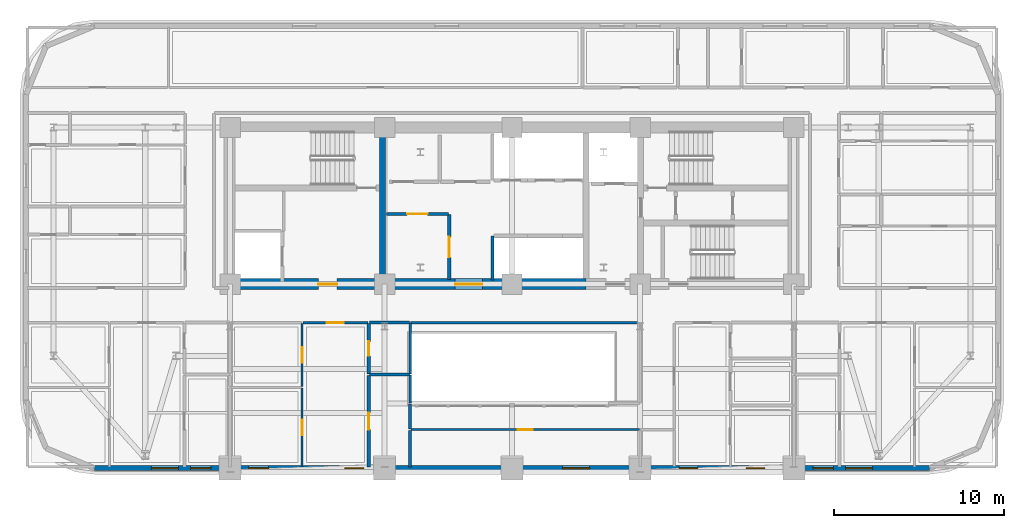
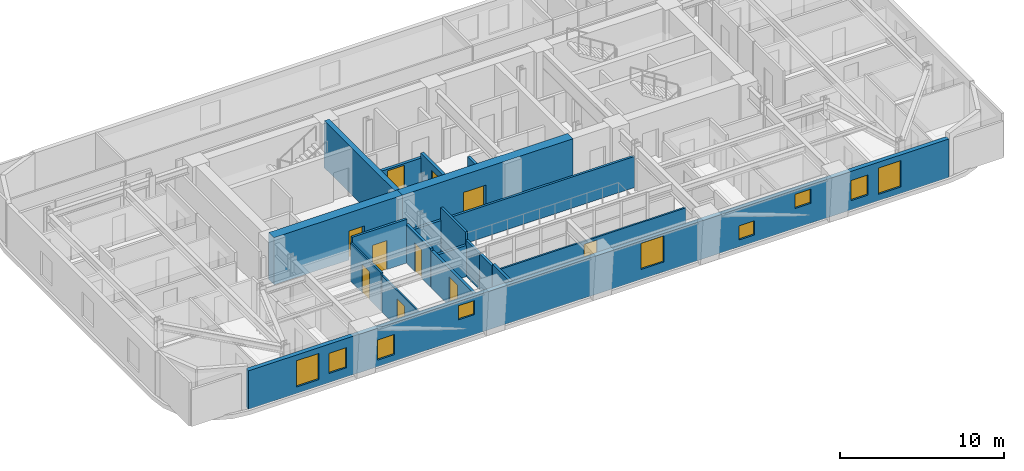
# One storey, part 9 of 16: 20 walls, 10 doors, 9 windows, 19 openings.
"""IFC4 building model written with IfcOpenShell, lengths in metres."""

from ifc_helpers import new_model, si_unit, direction, frame, frame_2d, origin, place, context, subcontext, project, spatial, rectangle, extrude, material, layer, layer_set, type_object, element, fill, save


model = new_model("IFC4")

# Units and contexts
model_context = context("Model", 3, precision=1e-05, world=origin(), true_north=direction((0.0, 1.0)))
body_context = subcontext(model_context, "Body", "Model", "MODEL_VIEW")
ifc_project = project(units=[si_unit("LENGTHUNIT", "METRE"), si_unit("AREAUNIT", "SQUARE_METRE"), si_unit("VOLUMEUNIT", "CUBIC_METRE"), si_unit("PLANEANGLEUNIT", "RADIAN"), si_unit("MASSUNIT", "GRAM", prefix="KILO")], contexts=[model_context])

# Site, building, storey
site_placement = place(None, origin())
site = spatial("IfcSite", under=ifc_project, at=site_placement, CompositionType="ELEMENT")
building_placement = place(site_placement, origin())
building = spatial("IfcBuilding", under=site, at=building_placement, Name="Zarnavel Station Tower", CompositionType="ELEMENT")
storey_placement = place(building_placement, frame((0.0, 0.0, 101.300048828125)))
storey = spatial("IfcBuildingStorey", under=building, at=storey_placement, Name="L27", CompositionType="ELEMENT", Elevation=101.300048828125)

# Wall
ifc_material_1 = material(Name="Concrete C50/60", Category="concrete")
ifc_layer_1 = layer(ifc_material_1, 0.35009765625)
ifc_layer_set_1 = layer_set([ifc_layer_1], Name="CW_350")
wall_type_1 = type_object("IfcWallType", Name="CW_350", PredefinedType="SHEAR", material=ifc_layer_set_1)
wall_1_placement = place(storey_placement, frame((21.179931640625, 28.14501953125, 0.0), z_axis=(0.0, 0.0, 1.0), x_axis=(0.0, 1.0, 0.0)))
element("IfcWall", 1, at=wall_1_placement, inside=storey, type_object=wall_type_1, Name="L27 Rear Core Shear Wall DIV-W", PredefinedType="SHEAR", context=body_context, shape_type="SweptSolid", body=[
    extrude(rectangle(XDim=8.580078125, YDim=0.35009765625, at=frame_2d((4.2900390625, 0.0))), origin(), (0.0, 0.0, 1.0), 3.5),
])

# Wall, opening, door
ifc_material_2 = material(Name="Concrete C60/75", Category="concrete")
ifc_layer_2 = layer(ifc_material_2, 0.64990234375)
ifc_layer_set_2 = layer_set([ifc_layer_2], Name="CW_650")
wall_type_2 = type_object("IfcWallType", Name="CW_650", PredefinedType="SHEAR", material=ifc_layer_set_2)
wall_2_placement = place(storey_placement, frame((21.179931640625, 27.820068359375, 0.0), z_axis=(0.0, 0.0, 1.0), x_axis=(-1.0, 0.0, 0.0)))
wall_2 = element("IfcWall", 2, at=wall_2_placement, inside=storey, type_object=wall_type_2, Name="L27 Rear Core Shear Wall S-W", PredefinedType="SHEAR", context=body_context, shape_type="SweptSolid", body=[
    extrude(rectangle(XDim=9.030029296875, YDim=0.64990234375, at=frame_2d((4.51513671875, 0.0))), origin(), (0.0, 0.0, 1.0), 3.5),
])
opening_1_placement = place(wall_2_placement, frame((2.679931640625, 0.0, 0.0)))
opening_1 = element("IfcOpeningElement", 3, at=opening_1_placement, cuts=wall_2, Name="Opening FD01", PredefinedType="OPENING", context=body_context, shape_type="SweptSolid", body=[
    extrude(rectangle(XDim=1.10009765625, YDim=2.14990234375, at=frame_2d((0.550048828125, 1.074951171875))), frame((0.0, 0.3349609375, 0.0), z_axis=(0.0, -1.0, 0.0), x_axis=(1.0, 0.0, 0.0)), (0.0, 0.0, 1.0), 0.669921875),
])
ifc_material_3 = material(Name="Painted Galvanised Steel and Hardwood Leaf", Category="steel")
door_type_1 = type_object("IfcDoorType", Name="ID_STAIR_1100", OperationType="NOTDEFINED", PredefinedType="DOOR", material=ifc_material_3)
door_1_placement = place(opening_1_placement, origin())
door_1 = element("IfcDoor", 4, at=door_1_placement, inside=storey, type_object=door_type_1, Name="L27 West Firefighting Lobby Door", OperationType="SINGLE_SWING_RIGHT", OverallHeight=2.14990234375, OverallWidth=1.10009765625, PredefinedType="DOOR", context=body_context, shape_type="SweptSolid", body=[
    extrude(rectangle(XDim=1.10009765625, YDim=2.14990234375, at=frame_2d((0.550048828125, 1.074951171875))), frame((0.0, 0.02490234375, 0.0), z_axis=(0.0, -1.0, 0.0), x_axis=(1.0, 0.0, 0.0)), (0.0, 0.0, 1.0), 0.050048828125),
])
fill(opening_1, door_1)

wall_3_placement = place(storey_placement, frame((33.14990234375, 27.820068359375, 0.0), z_axis=(0.0, 0.0, 1.0), x_axis=(-1.0, 0.0, 0.0)))
wall_3 = element("IfcWall", 5, at=wall_3_placement, inside=storey, type_object=wall_type_2, Name="L27 Rear Core Shear Wall S-M", PredefinedType="SHEAR", context=body_context, shape_type="SweptSolid", body=[
    extrude(rectangle(XDim=11.969970703125, YDim=0.64990234375, at=frame_2d((5.98486328125, 0.0))), origin(), (0.0, 0.0, 1.0), 3.5),
])
opening_2_placement = place(wall_3_placement, frame((6.10009765625, 0.0, 0.0)))
opening_2 = element("IfcOpeningElement", 6, at=opening_2_placement, cuts=wall_3, Name="Opening ID03", PredefinedType="OPENING", context=body_context, shape_type="SweptSolid", body=[
    extrude(rectangle(XDim=1.60009765625, YDim=2.199951171875, at=frame_2d((0.800048828125, 1.10009765625))), frame((0.0, 0.3349609375, 0.0), z_axis=(0.0, -1.0, 0.0), x_axis=(1.0, 0.0, 0.0)), (0.0, 0.0, 1.0), 0.669921875),
])
ifc_material_4 = material(Name="Painted Galvanised Steel and Hardwood Leaf", Category="steel")
door_type_2 = type_object("IfcDoorType", Name="ID_PUBLIC_1600", OperationType="DOUBLE_DOOR_SINGLE_SWING", PredefinedType="DOOR", material=ifc_material_4)
door_2_placement = place(opening_2_placement, origin())
door_2 = element("IfcDoor", 7, at=door_2_placement, inside=storey, type_object=door_type_2, Name="L27 Passenger Lift Lobby Double Door", OperationType="SINGLE_SWING_LEFT", OverallHeight=2.199951171875, OverallWidth=1.60009765625, PredefinedType="DOOR", context=body_context, shape_type="SweptSolid", body=[
    extrude(rectangle(XDim=1.60009765625, YDim=2.199951171875, at=frame_2d((0.800048828125, 1.10009765625))), frame((0.0, 0.02490234375, 0.0), z_axis=(0.0, -1.0, 0.0), x_axis=(1.0, 0.0, 0.0)), (0.0, 0.0, 1.0), 0.050048828125),
])
fill(opening_2, door_2)

# Wall, openings, windows
ifc_material_5 = material(Name="Precast concrete C45/55 (Dark Basalt Finish)", Category="masonry")
ifc_layer_3 = layer(ifc_material_5, 0.300048828125)
ifc_layer_set_3 = layer_set([ifc_layer_3], Name="EW_BASALT_300")
wall_type_3 = type_object("IfcWallType", Name="EW_BASALT_300", PredefinedType="SOLIDWALL", material=ifc_layer_set_3)
wall_4_placement = place(storey_placement, frame((53.39990234375, 16.97998046875, 0.0), z_axis=(0.0, 0.0, 1.0), x_axis=(-1.0, 0.0, 0.0)))
wall_4 = element("IfcWall", 8, at=wall_4_placement, inside=storey, type_object=wall_type_3, Name="L27 Exterior Basalt Masonry Frame Wall 12", PredefinedType="SOLIDWALL", context=body_context, shape_type="SweptSolid", body=[
    extrude(rectangle(XDim=49.199951171875, YDim=0.300048828125, at=frame_2d((24.60009765625, 0.0))), origin(), (0.0, 0.0, 1.0), 2.85986328125),
])
opening_3_placement = place(wall_4_placement, frame((44.245849609375, 0.0, 0.47998046875)))
opening_3 = element("IfcOpeningElement", 9, at=opening_3_placement, cuts=wall_4, Name="Opening WN06", PredefinedType="OPENING", context=body_context, shape_type="SweptSolid", body=[
    extrude(rectangle(XDim=1.60009765625, YDim=1.949951171875, at=frame_2d((0.800048828125, 0.97509765625))), frame((0.0, 0.159912109375, 0.0), z_axis=(0.0, -1.0, 0.0), x_axis=(1.0, 0.0, 0.0)), (0.0, 0.0, 1.0), 0.320068359375),
])
opening_4_placement = place(wall_4_placement, frame((42.33251953125, 0.0, 0.679931640625)))
opening_4 = element("IfcOpeningElement", 10, at=opening_4_placement, cuts=wall_4, Name="Opening WN08", PredefinedType="OPENING", context=body_context, shape_type="SweptSolid", body=[
    extrude(rectangle(XDim=1.199951171875, YDim=1.5, at=frame_2d((0.60009765625, 0.75))), frame((0.0, 0.159912109375, 0.0), z_axis=(0.0, -1.0, 0.0), x_axis=(1.0, 0.0, 0.0)), (0.0, 0.0, 1.0), 0.320068359375),
])
opening_5_placement = place(wall_4_placement, frame((33.337890625, 0.0, 1.47998046875)))
opening_5 = element("IfcOpeningElement", 11, at=opening_5_placement, cuts=wall_4, Name="Opening WN09", PredefinedType="OPENING", context=body_context, shape_type="SweptSolid", body=[
    extrude(rectangle(XDim=1.10009765625, YDim=1.050048828125, at=frame_2d((0.550048828125, 0.52490234375))), frame((0.0, 0.159912109375, 0.0), z_axis=(0.0, -1.0, 0.0), x_axis=(1.0, 0.0, 0.0)), (0.0, 0.0, 1.0), 0.320068359375),
])
opening_6_placement = place(wall_4_placement, frame((38.93505859375, 0.0, 0.47998046875)))
opening_6 = element("IfcOpeningElement", 12, at=opening_6_placement, cuts=wall_4, Name="Opening WN08", PredefinedType="OPENING", context=body_context, shape_type="SweptSolid", body=[
    extrude(rectangle(XDim=1.199951171875, YDim=1.5, at=frame_2d((0.60009765625, 0.75))), frame((0.0, 0.159912109375, 0.0), z_axis=(0.0, -1.0, 0.0), x_axis=(1.0, 0.0, 0.0)), (0.0, 0.0, 1.0), 0.320068359375),
])
opening_7_placement = place(wall_4_placement, frame((20.02490234375, 0.0, 0.72998046875)))
opening_7 = element("IfcOpeningElement", 13, at=opening_7_placement, cuts=wall_4, Name="Opening WN06", PredefinedType="OPENING", context=body_context, shape_type="SweptSolid", body=[
    extrude(rectangle(XDim=1.60009765625, YDim=1.949951171875, at=frame_2d((0.800048828125, 0.97509765625))), frame((0.0, 0.159912109375, 0.0), z_axis=(0.0, -1.0, 0.0), x_axis=(1.0, 0.0, 0.0)), (0.0, 0.0, 1.0), 0.320068359375),
])
opening_8_placement = place(wall_4_placement, frame((13.64990234375, 0.0, 0.52001953125)))
opening_8 = element("IfcOpeningElement", 14, at=opening_8_placement, cuts=wall_4, Name="Opening WN09", PredefinedType="OPENING", context=body_context, shape_type="SweptSolid", body=[
    extrude(rectangle(XDim=1.10009765625, YDim=1.050048828125, at=frame_2d((0.550048828125, 0.52490234375))), frame((0.0, 0.159912109375, 0.0), z_axis=(0.0, -1.0, 0.0), x_axis=(1.0, 0.0, 0.0)), (0.0, 0.0, 1.0), 0.320068359375),
])
opening_9_placement = place(wall_4_placement, frame((9.700927734375, 0.0, 1.47998046875)))
opening_9 = element("IfcOpeningElement", 15, at=opening_9_placement, cuts=wall_4, Name="Opening WN09", PredefinedType="OPENING", context=body_context, shape_type="SweptSolid", body=[
    extrude(rectangle(XDim=1.10009765625, YDim=1.050048828125, at=frame_2d((0.550048828125, 0.52490234375))), frame((0.0, 0.159912109375, 0.0), z_axis=(0.0, -1.0, 0.0), x_axis=(1.0, 0.0, 0.0)), (0.0, 0.0, 1.0), 0.320068359375),
])
opening_10_placement = place(wall_4_placement, frame((3.35400390625, 0.0, 0.47998046875)))
opening_10 = element("IfcOpeningElement", 16, at=opening_10_placement, cuts=wall_4, Name="Opening WN06", PredefinedType="OPENING", context=body_context, shape_type="SweptSolid", body=[
    extrude(rectangle(XDim=1.60009765625, YDim=1.949951171875, at=frame_2d((0.800048828125, 0.97509765625))), frame((0.0, 0.159912109375, 0.0), z_axis=(0.0, -1.0, 0.0), x_axis=(1.0, 0.0, 0.0)), (0.0, 0.0, 1.0), 0.320068359375),
])
opening_11_placement = place(wall_4_placement, frame((5.66748046875, 0.0, 0.679931640625)))
opening_11 = element("IfcOpeningElement", 17, at=opening_11_placement, cuts=wall_4, Name="Opening WN08", PredefinedType="OPENING", context=body_context, shape_type="SweptSolid", body=[
    extrude(rectangle(XDim=1.199951171875, YDim=1.5, at=frame_2d((0.60009765625, 0.75))), frame((0.0, 0.159912109375, 0.0), z_axis=(0.0, -1.0, 0.0), x_axis=(1.0, 0.0, 0.0)), (0.0, 0.0, 1.0), 0.320068359375),
])
ifc_material_6 = material(Name="Thermally Broken Black Aluminium and Low-E Dark Glass", Category="aluminium")
window_type_1 = type_object("IfcWindowType", Name="WN_1100x1050", PartitioningType="SINGLE_PANEL", PredefinedType="WINDOW", material=ifc_material_6)
window_1_placement = place(opening_5_placement, origin())
window_1 = element("IfcWindow", 18, at=window_1_placement, inside=storey, type_object=window_type_1, Name="L27 Recessed Facade Window 03", OverallHeight=1.050048828125, OverallWidth=1.10009765625, PartitioningType="SINGLE_PANEL", PredefinedType="WINDOW", context=body_context, shape_type="SweptSolid", body=[
    extrude(rectangle(XDim=1.10009765625, YDim=1.050048828125, at=frame_2d((0.550048828125, 0.52490234375))), frame((0.0, 0.030029296875, 0.0), z_axis=(0.0, -1.0, 0.0), x_axis=(1.0, 0.0, 0.0)), (0.0, 0.0, 1.0), 0.06005859375),
])
fill(opening_5, window_1)
window_2_placement = place(opening_8_placement, origin())
window_2 = element("IfcWindow", 19, at=window_2_placement, inside=storey, type_object=window_type_1, Name="L27 Recessed Facade Window 06", OverallHeight=1.050048828125, OverallWidth=1.10009765625, PartitioningType="SINGLE_PANEL", PredefinedType="WINDOW", context=body_context, shape_type="SweptSolid", body=[
    extrude(rectangle(XDim=1.10009765625, YDim=1.050048828125, at=frame_2d((0.550048828125, 0.52490234375))), frame((0.0, 0.030029296875, 0.0), z_axis=(0.0, -1.0, 0.0), x_axis=(1.0, 0.0, 0.0)), (0.0, 0.0, 1.0), 0.06005859375),
])
fill(opening_8, window_2)
window_3_placement = place(opening_9_placement, origin())
window_3 = element("IfcWindow", 20, at=window_3_placement, inside=storey, type_object=window_type_1, Name="L27 Recessed Facade Window 07", OverallHeight=1.050048828125, OverallWidth=1.10009765625, PartitioningType="SINGLE_PANEL", PredefinedType="WINDOW", context=body_context, shape_type="SweptSolid", body=[
    extrude(rectangle(XDim=1.10009765625, YDim=1.050048828125, at=frame_2d((0.550048828125, 0.52490234375))), frame((0.0, 0.030029296875, 0.0), z_axis=(0.0, -1.0, 0.0), x_axis=(1.0, 0.0, 0.0)), (0.0, 0.0, 1.0), 0.06005859375),
])
fill(opening_9, window_3)
ifc_material_7 = material(Name="Thermally Broken Black Aluminium and Low-E Dark Glass", Category="aluminium")
window_type_2 = type_object("IfcWindowType", Name="WN_1200x1500", PartitioningType="SINGLE_PANEL", PredefinedType="WINDOW", material=ifc_material_7)
window_4_placement = place(opening_4_placement, origin())
window_4 = element("IfcWindow", 21, at=window_4_placement, inside=storey, type_object=window_type_2, Name="L27 Recessed Facade Window 02", OverallHeight=1.5, OverallWidth=1.199951171875, PartitioningType="SINGLE_PANEL", PredefinedType="WINDOW", context=body_context, shape_type="SweptSolid", body=[
    extrude(rectangle(XDim=1.199951171875, YDim=1.5, at=frame_2d((0.60009765625, 0.75))), frame((0.0, 0.030029296875, 0.0), z_axis=(0.0, -1.0, 0.0), x_axis=(1.0, 0.0, 0.0)), (0.0, 0.0, 1.0), 0.06005859375),
])
fill(opening_4, window_4)
window_5_placement = place(opening_6_placement, origin())
window_5 = element("IfcWindow", 22, at=window_5_placement, inside=storey, type_object=window_type_2, Name="L27 Recessed Facade Window 04", OverallHeight=1.5, OverallWidth=1.199951171875, PartitioningType="SINGLE_PANEL", PredefinedType="WINDOW", context=body_context, shape_type="SweptSolid", body=[
    extrude(rectangle(XDim=1.199951171875, YDim=1.5, at=frame_2d((0.60009765625, 0.75))), frame((0.0, 0.030029296875, 0.0), z_axis=(0.0, -1.0, 0.0), x_axis=(1.0, 0.0, 0.0)), (0.0, 0.0, 1.0), 0.06005859375),
])
fill(opening_6, window_5)
window_6_placement = place(opening_11_placement, origin())
window_6 = element("IfcWindow", 23, at=window_6_placement, inside=storey, type_object=window_type_2, Name="L27 Recessed Facade Window 09", OverallHeight=1.5, OverallWidth=1.199951171875, PartitioningType="SINGLE_PANEL", PredefinedType="WINDOW", context=body_context, shape_type="SweptSolid", body=[
    extrude(rectangle(XDim=1.199951171875, YDim=1.5, at=frame_2d((0.60009765625, 0.75))), frame((0.0, 0.030029296875, 0.0), z_axis=(0.0, -1.0, 0.0), x_axis=(1.0, 0.0, 0.0)), (0.0, 0.0, 1.0), 0.06005859375),
])
fill(opening_11, window_6)
ifc_material_8 = material(Name="Thermally Broken Black Aluminium and Low-E Dark Glass", Category="aluminium")
window_type_3 = type_object("IfcWindowType", Name="WN_1600x1950", PartitioningType="DOUBLE_PANEL_VERTICAL", PredefinedType="WINDOW", material=ifc_material_8)
window_7_placement = place(opening_3_placement, origin())
window_7 = element("IfcWindow", 24, at=window_7_placement, inside=storey, type_object=window_type_3, Name="L27 Recessed Facade Window 01", OverallHeight=1.949951171875, OverallWidth=1.60009765625, PartitioningType="SINGLE_PANEL", PredefinedType="WINDOW", context=body_context, shape_type="SweptSolid", body=[
    extrude(rectangle(XDim=1.60009765625, YDim=1.949951171875, at=frame_2d((0.800048828125, 0.97509765625))), frame((0.0, 0.030029296875, 0.0), z_axis=(0.0, -1.0, 0.0), x_axis=(1.0, 0.0, 0.0)), (0.0, 0.0, 1.0), 0.06005859375),
])
fill(opening_3, window_7)
window_8_placement = place(opening_7_placement, origin())
window_8 = element("IfcWindow", 25, at=window_8_placement, inside=storey, type_object=window_type_3, Name="L27 Recessed Facade Window 05", OverallHeight=1.949951171875, OverallWidth=1.60009765625, PartitioningType="SINGLE_PANEL", PredefinedType="WINDOW", context=body_context, shape_type="SweptSolid", body=[
    extrude(rectangle(XDim=1.60009765625, YDim=1.949951171875, at=frame_2d((0.800048828125, 0.97509765625))), frame((0.0, 0.030029296875, 0.0), z_axis=(0.0, -1.0, 0.0), x_axis=(1.0, 0.0, 0.0)), (0.0, 0.0, 1.0), 0.06005859375),
])
fill(opening_7, window_8)
window_9_placement = place(opening_10_placement, origin())
window_9 = element("IfcWindow", 26, at=window_9_placement, inside=storey, type_object=window_type_3, Name="L27 Recessed Facade Window 08", OverallHeight=1.949951171875, OverallWidth=1.60009765625, PartitioningType="SINGLE_PANEL", PredefinedType="WINDOW", context=body_context, shape_type="SweptSolid", body=[
    extrude(rectangle(XDim=1.60009765625, YDim=1.949951171875, at=frame_2d((0.800048828125, 0.97509765625))), frame((0.0, 0.030029296875, 0.0), z_axis=(0.0, -1.0, 0.0), x_axis=(1.0, 0.0, 0.0)), (0.0, 0.0, 1.0), 0.06005859375),
])
fill(opening_10, window_9)

# Wall, opening, door
ifc_material_9 = material(Name="Gypsum Twin-Stud Acoustic Fire Partition", Category="concrete")
ifc_layer_4 = layer(ifc_material_9, 0.159912109375)
ifc_layer_set_4 = layer_set([ifc_layer_4], Name="PT_DEMISE_160")
wall_type_4 = type_object("IfcWallType", Name="PT_DEMISE_160", PredefinedType="PARTITIONING", material=ifc_layer_set_4)
wall_5_placement = place(storey_placement, frame((16.47998046875, 25.550048828125, 0.0), z_axis=(0.0, 0.0, 1.0), x_axis=(1.0, 0.0, 0.0)))
wall_5 = element("IfcWall", 27, at=wall_5_placement, inside=storey, type_object=wall_type_4, Name="L27 Partition COR-S-UW1BLV", PredefinedType="PARTITIONING", context=body_context, shape_type="SweptSolid", body=[
    extrude(rectangle(XDim=3.842041015625, YDim=0.159912109375, at=frame_2d((1.9208984375, 0.0))), origin(), (0.0, 0.0, 1.0), 3.239990234375),
])
opening_12_placement = place(wall_5_placement, frame((1.4208984375, 0.0, 0.0)))
opening_12 = element("IfcOpeningElement", 28, at=opening_12_placement, cuts=wall_5, Name="Opening FD02", PredefinedType="OPENING", context=body_context, shape_type="SweptSolid", body=[
    extrude(rectangle(XDim=1.0, YDim=2.14990234375, at=frame_2d((0.5, 1.074951171875))), frame((0.0, 0.08984375, 0.0), z_axis=(0.0, -1.0, 0.0), x_axis=(1.0, 0.0, 0.0)), (0.0, 0.0, 1.0), 0.179931640625),
])
ifc_material_10 = material(Name="Painted Galvanised Steel and Hardwood Leaf", Category="steel")
door_type_3 = type_object("IfcDoorType", Name="ID_ENTRY_1000", OperationType="NOTDEFINED", PredefinedType="DOOR", material=ifc_material_10)
door_3_placement = place(opening_12_placement, origin())
door_3 = element("IfcDoor", 29, at=door_3_placement, inside=storey, type_object=door_type_3, Name="L27 Door COR-S-UW1BLV", OperationType="SINGLE_SWING_RIGHT", OverallHeight=2.14990234375, OverallWidth=1.0, PredefinedType="DOOR", context=body_context, shape_type="SweptSolid", body=[
    extrude(rectangle(XDim=1.0, YDim=2.14990234375, at=frame_2d((0.5, 1.074951171875))), frame((0.0, 0.02490234375, 0.0), z_axis=(0.0, -1.0, 0.0), x_axis=(1.0, 0.0, 0.0)), (0.0, 0.0, 1.0), 0.050048828125),
])
fill(opening_12, door_3)

# Walls
wall_6_placement = place(storey_placement, frame((22.830078125, 25.550048828125, 0.0), z_axis=(0.0, 0.0, 1.0), x_axis=(1.0, 0.0, 0.0)))
element("IfcWall", 30, at=wall_6_placement, inside=storey, type_object=wall_type_4, Name="L27 Enclosure Wall COR-S", PredefinedType="PARTITIONING", context=body_context, shape_type="SweptSolid", body=[
    extrude(rectangle(XDim=13.489990234375, YDim=0.159912109375, at=frame_2d((6.7451171875, 0.0))), origin(), (0.0, 0.0, 1.0), 2.31005859375),
])
wall_7_placement = place(storey_placement, frame((22.800048828125, 20.830078125, 0.0), z_axis=(0.0, 0.0, 1.0), x_axis=(0.0, 1.0, 0.0)))
element("IfcWall", 31, at=wall_7_placement, inside=storey, type_object=wall_type_4, Name="L27 Enclosure Wall UW1BKT", PredefinedType="PARTITIONING", context=body_context, shape_type="SweptSolid", body=[
    extrude(rectangle(XDim=1.634033203125, YDim=0.159912109375, at=frame_2d((0.81689453125, 0.0))), origin(), (0.0, 0.0, 1.0), 2.679931640625),
])
wall_8_placement = place(storey_placement, frame((22.800048828125, 22.52392578125, 0.0), z_axis=(0.0, 0.0, 1.0), x_axis=(0.0, 1.0, 0.0)))
element("IfcWall", 32, at=wall_8_placement, inside=storey, type_object=wall_type_4, Name="L27 Enclosure Wall UW1BBA", PredefinedType="PARTITIONING", context=body_context, shape_type="SweptSolid", body=[
    extrude(rectangle(XDim=2.99609375, YDim=0.159912109375, at=frame_2d((1.498046875, 0.0))), origin(), (0.0, 0.0, 1.0), 3.239990234375),
])

# Wall, opening, door
ifc_material_11 = material(Name="Gypsum Metal-Stud Interior Partition", Category="concrete")
ifc_layer_5 = layer(ifc_material_11, 0.1201171875)
ifc_layer_set_5 = layer_set([ifc_layer_5], Name="PT_ROOM_120")
wall_type_5 = type_object("IfcWallType", Name="PT_ROOM_120", PredefinedType="PARTITIONING", material=ifc_layer_set_5)
wall_9_placement = place(storey_placement, frame((22.840087890625, 19.25, 0.0), z_axis=(0.0, 0.0, 1.0), x_axis=(1.0, 0.0, 0.0)))
wall_9 = element("IfcWall", 33, at=wall_9_placement, inside=storey, type_object=wall_type_5, Name="L27 Partition COR-AS-L27FOY", PredefinedType="PARTITIONING", context=body_context, shape_type="SweptSolid", body=[
    extrude(rectangle(XDim=13.469970703125, YDim=0.1201171875, at=frame_2d((6.73486328125, 0.0))), origin(), (0.0, 0.0, 1.0), 2.31005859375),
])
opening_13_placement = place(wall_9_placement, frame((6.284912109375, 0.0, 0.0)))
opening_13 = element("IfcOpeningElement", 34, at=opening_13_placement, cuts=wall_9, Name="Opening ID01", PredefinedType="OPENING", context=body_context, shape_type="SweptSolid", body=[
    extrude(rectangle(XDim=0.89990234375, YDim=2.10009765625, at=frame_2d((0.449951171875, 1.050048828125))), frame((0.0, 0.070068359375, 0.0), z_axis=(0.0, -1.0, 0.0), x_axis=(1.0, 0.0, 0.0)), (0.0, 0.0, 1.0), 0.14013671875),
])
ifc_material_12 = material(Name="Painted Galvanised Steel and Hardwood Leaf", Category="steel")
door_type_4 = type_object("IfcDoorType", Name="ID_ROOM_900", OperationType="NOTDEFINED", PredefinedType="DOOR", material=ifc_material_12)
door_4_placement = place(opening_13_placement, origin())
door_4 = element("IfcDoor", 35, at=door_4_placement, inside=storey, type_object=door_type_4, Name="L27 Door COR-AS-L27FOY", OperationType="SINGLE_SWING_LEFT", OverallHeight=2.10009765625, OverallWidth=0.89990234375, PredefinedType="DOOR", context=body_context, shape_type="SweptSolid", body=[
    extrude(rectangle(XDim=0.89990234375, YDim=2.10009765625, at=frame_2d((0.449951171875, 1.050048828125))), frame((0.0, 0.02490234375, 0.0), z_axis=(0.0, -1.0, 0.0), x_axis=(1.0, 0.0, 0.0)), (0.0, 0.0, 1.0), 0.050048828125),
])
fill(opening_13, door_4)

wall_10_placement = place(storey_placement, frame((16.43994140625, 17.06005859375, 0.0), z_axis=(0.0, 0.0, 1.0), x_axis=(0.0, 1.0, 0.0)))
wall_10 = element("IfcWall", 36, at=wall_10_placement, inside=storey, type_object=wall_type_5, Name="L27 Partition UW1BLV-UW1BB1", PredefinedType="PARTITIONING", context=body_context, shape_type="SweptSolid", body=[
    extrude(rectangle(XDim=4.640869140625, YDim=0.1201171875, at=frame_2d((2.3203125, 0.0))), origin(), (0.0, 0.0, 1.0), 2.72998046875),
])
opening_14_placement = place(wall_10_placement, frame((1.87060546875, 0.0, 0.0)))
opening_14 = element("IfcOpeningElement", 37, at=opening_14_placement, cuts=wall_10, Name="Opening ID01", PredefinedType="OPENING", context=body_context, shape_type="SweptSolid", body=[
    extrude(rectangle(XDim=0.89990234375, YDim=2.10009765625, at=frame_2d((0.449951171875, 1.050048828125))), frame((0.0, 0.070068359375, 0.0), z_axis=(0.0, -1.0, 0.0), x_axis=(1.0, 0.0, 0.0)), (0.0, 0.0, 1.0), 0.14013671875),
])
door_5_placement = place(opening_14_placement, origin())
door_5 = element("IfcDoor", 38, at=door_5_placement, inside=storey, type_object=door_type_4, Name="L27 Door UW1BLV-UW1BB1", OperationType="SINGLE_SWING_LEFT", OverallHeight=2.10009765625, OverallWidth=0.89990234375, PredefinedType="DOOR", context=body_context, shape_type="SweptSolid", body=[
    extrude(rectangle(XDim=0.89990234375, YDim=2.10009765625, at=frame_2d((0.449951171875, 1.050048828125))), frame((0.0, 0.02490234375, 0.0), z_axis=(0.0, -1.0, 0.0), x_axis=(1.0, 0.0, 0.0)), (0.0, 0.0, 1.0), 0.050048828125),
])
fill(opening_14, door_5)

wall_11_placement = place(storey_placement, frame((16.43994140625, 21.781005859375, 0.0), z_axis=(0.0, 0.0, 1.0), x_axis=(0.0, 1.0, 0.0)))
wall_11 = element("IfcWall", 39, at=wall_11_placement, inside=storey, type_object=wall_type_5, Name="L27 Partition UW1BLV-UW1BB2", PredefinedType="PARTITIONING", context=body_context, shape_type="SweptSolid", body=[
    extrude(rectangle(XDim=3.72900390625, YDim=0.1201171875, at=frame_2d((1.864501953125, 0.0))), origin(), (0.0, 0.0, 1.0), 2.869873046875),
])
opening_15_placement = place(wall_11_placement, frame((1.41455078125, 0.0, 0.0)))
opening_15 = element("IfcOpeningElement", 40, at=opening_15_placement, cuts=wall_11, Name="Opening ID01", PredefinedType="OPENING", context=body_context, shape_type="SweptSolid", body=[
    extrude(rectangle(XDim=0.89990234375, YDim=2.10009765625, at=frame_2d((0.449951171875, 1.050048828125))), frame((0.0, 0.070068359375, 0.0), z_axis=(0.0, -1.0, 0.0), x_axis=(1.0, 0.0, 0.0)), (0.0, 0.0, 1.0), 0.14013671875),
])
door_6_placement = place(opening_15_placement, origin())
door_6 = element("IfcDoor", 41, at=door_6_placement, inside=storey, type_object=door_type_4, Name="L27 Door UW1BLV-UW1BB2", OperationType="SINGLE_SWING_RIGHT", OverallHeight=2.10009765625, OverallWidth=0.89990234375, PredefinedType="DOOR", context=body_context, shape_type="SweptSolid", body=[
    extrude(rectangle(XDim=0.89990234375, YDim=2.10009765625, at=frame_2d((0.449951171875, 1.050048828125))), frame((0.0, 0.02490234375, 0.0), z_axis=(0.0, -1.0, 0.0), x_axis=(1.0, 0.0, 0.0)), (0.0, 0.0, 1.0), 0.050048828125),
])
fill(opening_15, door_6)

# Wall
ifc_material_13 = material(Name="Precast concrete C45/55 (Fire Shaft Blockwork)", Category="masonry")
ifc_layer_6 = layer(ifc_material_13, 0.199951171875)
ifc_layer_set_6 = layer_set([ifc_layer_6], Name="PT_SHAFT_200")
wall_type_6 = type_object("IfcWallType", Name="PT_SHAFT_200", PredefinedType="PARTITIONING", material=ifc_layer_set_6)
wall_12_placement = place(storey_placement, frame((27.64990234375, 28.070068359375, 0.0), z_axis=(0.0, 0.0, 1.0), x_axis=(0.0, 1.0, 0.0)))
element("IfcWall", 42, at=wall_12_placement, inside=storey, type_object=wall_type_6, Name="L27 High-Rise Lift Bank West Shaft Wall", PredefinedType="PARTITIONING", context=body_context, shape_type="SweptSolid", body=[
    extrude(rectangle(XDim=2.579833984375, YDim=0.199951171875, at=frame_2d((1.2900390625, 0.0))), origin(), (0.0, 0.0, 1.0), 2.2119140625),
])

# Wall, opening, door
wall_13_placement = place(storey_placement, frame((21.39990234375, 31.949951171875, 0.0), z_axis=(0.0, 0.0, 1.0), x_axis=(1.0, 0.0, 0.0)))
wall_13 = element("IfcWall", 43, at=wall_13_placement, inside=storey, type_object=wall_type_6, Name="L27 Partition LLOB-CS1", PredefinedType="PARTITIONING", context=body_context, shape_type="SweptSolid", body=[
    extrude(rectangle(XDim=3.66015625, YDim=0.199951171875, at=frame_2d((1.830078125, 0.0))), origin(), (0.0, 0.0, 1.0), 2.280029296875),
])
opening_16_placement = place(wall_13_placement, frame((1.22998046875, 0.0, 0.0)))
opening_16 = element("IfcOpeningElement", 44, at=opening_16_placement, cuts=wall_13, Name="Opening FD03", PredefinedType="OPENING", context=body_context, shape_type="SweptSolid", body=[
    extrude(rectangle(XDim=1.199951171875, YDim=2.14990234375, at=frame_2d((0.60009765625, 1.074951171875))), frame((0.0, 0.10986328125, 0.0), z_axis=(0.0, -1.0, 0.0), x_axis=(1.0, 0.0, 0.0)), (0.0, 0.0, 1.0), 0.219970703125),
])
ifc_material_14 = material(Name="Painted Galvanised Steel and Hardwood Leaf", Category="steel")
door_type_5 = type_object("IfcDoorType", Name="ID_PLANT_1200", OperationType="NOTDEFINED", PredefinedType="DOOR", material=ifc_material_14)
door_7_placement = place(opening_16_placement, origin())
door_7 = element("IfcDoor", 45, at=door_7_placement, inside=storey, type_object=door_type_5, Name="L27 Door LLOB-CS1", OperationType="SINGLE_SWING_LEFT", OverallHeight=2.14990234375, OverallWidth=1.199951171875, PredefinedType="DOOR", context=body_context, shape_type="SweptSolid", body=[
    extrude(rectangle(XDim=1.199951171875, YDim=2.14990234375, at=frame_2d((0.60009765625, 1.074951171875))), frame((0.0, 0.02490234375, 0.0), z_axis=(0.0, -1.0, 0.0), x_axis=(1.0, 0.0, 0.0)), (0.0, 0.0, 1.0), 0.050048828125),
])
fill(opening_16, door_7)

wall_14_placement = place(storey_placement, frame((25.10009765625, 28.090087890625, 0.0), z_axis=(0.0, 0.0, 1.0), x_axis=(0.0, 1.0, 0.0)))
wall_14 = element("IfcWall", 46, at=wall_14_placement, inside=storey, type_object=wall_type_6, Name="L27 Partition LLOBS-CS1", PredefinedType="PARTITIONING", context=body_context, shape_type="SweptSolid", body=[
    extrude(rectangle(XDim=3.81982421875, YDim=0.199951171875, at=frame_2d((1.909912109375, 0.0))), origin(), (0.0, 0.0, 1.0), 2.619873046875),
])
opening_17_placement = place(wall_14_placement, frame((1.31005859375, 0.0, 0.0)))
opening_17 = element("IfcOpeningElement", 47, at=opening_17_placement, cuts=wall_14, Name="Opening FD03", PredefinedType="OPENING", context=body_context, shape_type="SweptSolid", body=[
    extrude(rectangle(XDim=1.199951171875, YDim=2.14990234375, at=frame_2d((0.60009765625, 1.074951171875))), frame((0.0, 0.10986328125, 0.0), z_axis=(0.0, -1.0, 0.0), x_axis=(1.0, 0.0, 0.0)), (0.0, 0.0, 1.0), 0.219970703125),
])
door_8_placement = place(opening_17_placement, origin())
door_8 = element("IfcDoor", 48, at=door_8_placement, inside=storey, type_object=door_type_5, Name="L27 Door LLOBS-CS1", OperationType="SINGLE_SWING_RIGHT", OverallHeight=2.14990234375, OverallWidth=1.199951171875, PredefinedType="DOOR", context=body_context, shape_type="SweptSolid", body=[
    extrude(rectangle(XDim=1.199951171875, YDim=2.14990234375, at=frame_2d((0.60009765625, 1.074951171875))), frame((0.0, 0.02490234375, 0.0), z_axis=(0.0, -1.0, 0.0), x_axis=(1.0, 0.0, 0.0)), (0.0, 0.0, 1.0), 0.050048828125),
])
fill(opening_17, door_8)

# Walls
ifc_material_15 = material(Name="Moisture-Resistant Plumbing Chase Wall", Category="concrete")
ifc_layer_7 = layer(ifc_material_15, 0.179931640625)
ifc_layer_set_7 = layer_set([ifc_layer_7], Name="PW_PLUMB_180")
wall_type_7 = type_object("IfcWallType", Name="PW_PLUMB_180", PredefinedType="PLUMBINGWALL", material=ifc_layer_set_7)
wall_15_placement = place(storey_placement, frame((20.402099609375, 25.550048828125, 0.0), z_axis=(0.0, 0.0, 1.0), x_axis=(1.0, 0.0, 0.0)))
element("IfcWall", 49, at=wall_15_placement, inside=storey, type_object=wall_type_7, Name="L27 Partition COR-S-UW1BBA", PredefinedType="PLUMBINGWALL", context=body_context, shape_type="SweptSolid", body=[
    extrude(rectangle(XDim=2.35791015625, YDim=0.179931640625, at=frame_2d((1.178955078125, 0.0))), origin(), (0.0, 0.0, 1.0), 2.31005859375),
])
wall_16_placement = place(storey_placement, frame((22.800048828125, 19.2900390625, 0.0), z_axis=(0.0, 0.0, 1.0), x_axis=(0.0, 1.0, 0.0)))
element("IfcWall", 50, at=wall_16_placement, inside=storey, type_object=wall_type_7, Name="L27 Partition COR-AS-UW1BKT", PredefinedType="PLUMBINGWALL", context=body_context, shape_type="SweptSolid", body=[
    extrude(rectangle(XDim=1.469970703125, YDim=0.179931640625, at=frame_2d((0.73486328125, 0.0))), origin(), (0.0, 0.0, 1.0), 2.679931640625),
])

# Wall, opening, door
wall_17_placement = place(storey_placement, frame((20.362060546875, 17.06005859375, 0.0), z_axis=(0.0, 0.0, 1.0), x_axis=(0.0, 1.0, 0.0)))
wall_17 = element("IfcWall", 51, at=wall_17_placement, inside=storey, type_object=wall_type_7, Name="L27 Partition UW1BLV-UW1BKT", PredefinedType="PLUMBINGWALL", context=body_context, shape_type="SweptSolid", body=[
    extrude(rectangle(XDim=5.39404296875, YDim=0.179931640625, at=frame_2d((2.697021484375, 0.0))), origin(), (0.0, 0.0, 1.0), 2.72998046875),
])
opening_18_placement = place(wall_17_placement, frame((2.197021484375, 0.0, 0.0)))
opening_18 = element("IfcOpeningElement", 52, at=opening_18_placement, cuts=wall_17, Name="Opening FD02", PredefinedType="OPENING", context=body_context, shape_type="SweptSolid", body=[
    extrude(rectangle(XDim=1.0, YDim=2.14990234375, at=frame_2d((0.5, 1.074951171875))), frame((0.0, 0.099853515625, 0.0), z_axis=(0.0, -1.0, 0.0), x_axis=(1.0, 0.0, 0.0)), (0.0, 0.0, 1.0), 0.199951171875),
])
door_9_placement = place(opening_18_placement, origin())
door_9 = element("IfcDoor", 53, at=door_9_placement, inside=storey, type_object=door_type_3, Name="L27 Door UW1BLV-UW1BKT", OperationType="SINGLE_SWING_LEFT", OverallHeight=2.14990234375, OverallWidth=1.0, PredefinedType="DOOR", context=body_context, shape_type="SweptSolid", body=[
    extrude(rectangle(XDim=1.0, YDim=2.14990234375, at=frame_2d((0.5, 1.074951171875))), frame((0.0, 0.02490234375, 0.0), z_axis=(0.0, -1.0, 0.0), x_axis=(1.0, 0.0, 0.0)), (0.0, 0.0, 1.0), 0.050048828125),
])
fill(opening_18, door_9)

wall_18_placement = place(storey_placement, frame((20.362060546875, 22.533935546875, 0.0), z_axis=(0.0, 0.0, 1.0), x_axis=(0.0, 1.0, 0.0)))
wall_18 = element("IfcWall", 54, at=wall_18_placement, inside=storey, type_object=wall_type_7, Name="L27 Partition UW1BLV-UW1BBA", PredefinedType="PLUMBINGWALL", context=body_context, shape_type="SweptSolid", body=[
    extrude(rectangle(XDim=2.97607421875, YDim=0.179931640625, at=frame_2d((1.488037109375, 0.0))), origin(), (0.0, 0.0, 1.0), 2.869873046875),
])
opening_19_placement = place(wall_18_placement, frame((1.06298828125, 0.0, 0.0)))
opening_19 = element("IfcOpeningElement", 55, at=opening_19_placement, cuts=wall_18, Name="Opening ID02", PredefinedType="OPENING", context=body_context, shape_type="SweptSolid", body=[
    extrude(rectangle(XDim=0.85009765625, YDim=2.10009765625, at=frame_2d((0.425048828125, 1.050048828125))), frame((0.0, 0.099853515625, 0.0), z_axis=(0.0, -1.0, 0.0), x_axis=(1.0, 0.0, 0.0)), (0.0, 0.0, 1.0), 0.199951171875),
])
ifc_material_16 = material(Name="Painted Galvanised Steel and Hardwood Leaf", Category="steel")
door_type_6 = type_object("IfcDoorType", Name="ID_BATH_850", OperationType="NOTDEFINED", PredefinedType="DOOR", material=ifc_material_16)
door_10_placement = place(opening_19_placement, origin())
door_10 = element("IfcDoor", 56, at=door_10_placement, inside=storey, type_object=door_type_6, Name="L27 Door UW1BLV-UW1BBA", OperationType="SINGLE_SWING_RIGHT", OverallHeight=2.10009765625, OverallWidth=0.85009765625, PredefinedType="DOOR", context=body_context, shape_type="SweptSolid", body=[
    extrude(rectangle(XDim=0.85009765625, YDim=2.10009765625, at=frame_2d((0.425048828125, 1.050048828125))), frame((0.0, 0.02490234375, 0.0), z_axis=(0.0, -1.0, 0.0), x_axis=(1.0, 0.0, 0.0)), (0.0, 0.0, 1.0), 0.050048828125),
])
fill(opening_19, door_10)

# Walls
wall_19_placement = place(storey_placement, frame((20.402099609375, 22.493896484375, 0.0), z_axis=(0.0, 0.0, 1.0), x_axis=(1.0, 0.0, 0.0)))
element("IfcWall", 57, at=wall_19_placement, inside=storey, type_object=wall_type_7, Name="L27 Partition UW1BKT-UW1BBA", PredefinedType="PLUMBINGWALL", context=body_context, shape_type="SweptSolid", body=[
    extrude(rectangle(XDim=2.35791015625, YDim=0.179931640625, at=frame_2d((1.178955078125, 0.0))), origin(), (0.0, 0.0, 1.0), 2.31005859375),
])
wall_20_placement = place(storey_placement, frame((22.800048828125, 17.06005859375, 0.0), z_axis=(0.0, 0.0, 1.0), x_axis=(0.0, 1.0, 0.0)))
element("IfcWall", 58, at=wall_20_placement, inside=storey, type_object=wall_type_7, Name="L27 Partition UW1BKT-L27FOY", PredefinedType="PLUMBINGWALL", context=body_context, shape_type="SweptSolid", body=[
    extrude(rectangle(XDim=2.14990234375, YDim=0.179931640625, at=frame_2d((1.074951171875, 0.0))), origin(), (0.0, 0.0, 1.0), 2.85986328125),
])

save(model, "model.ifc")
